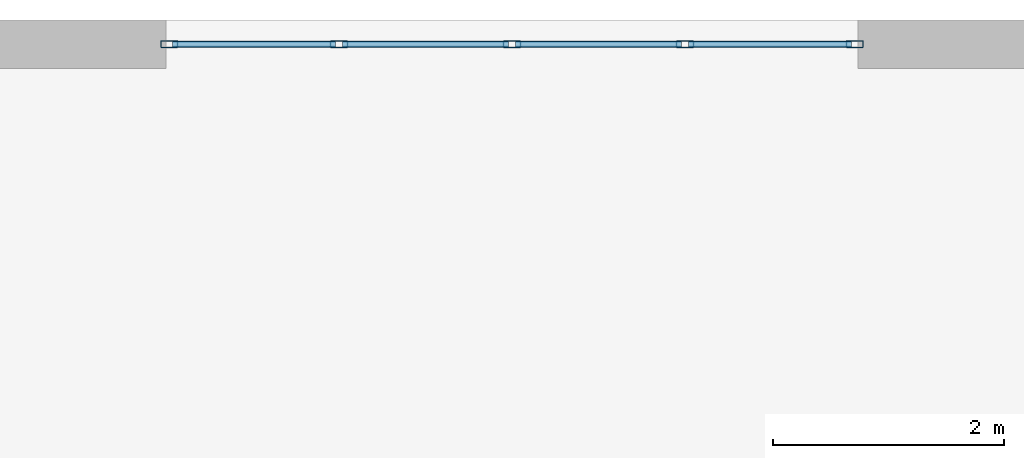
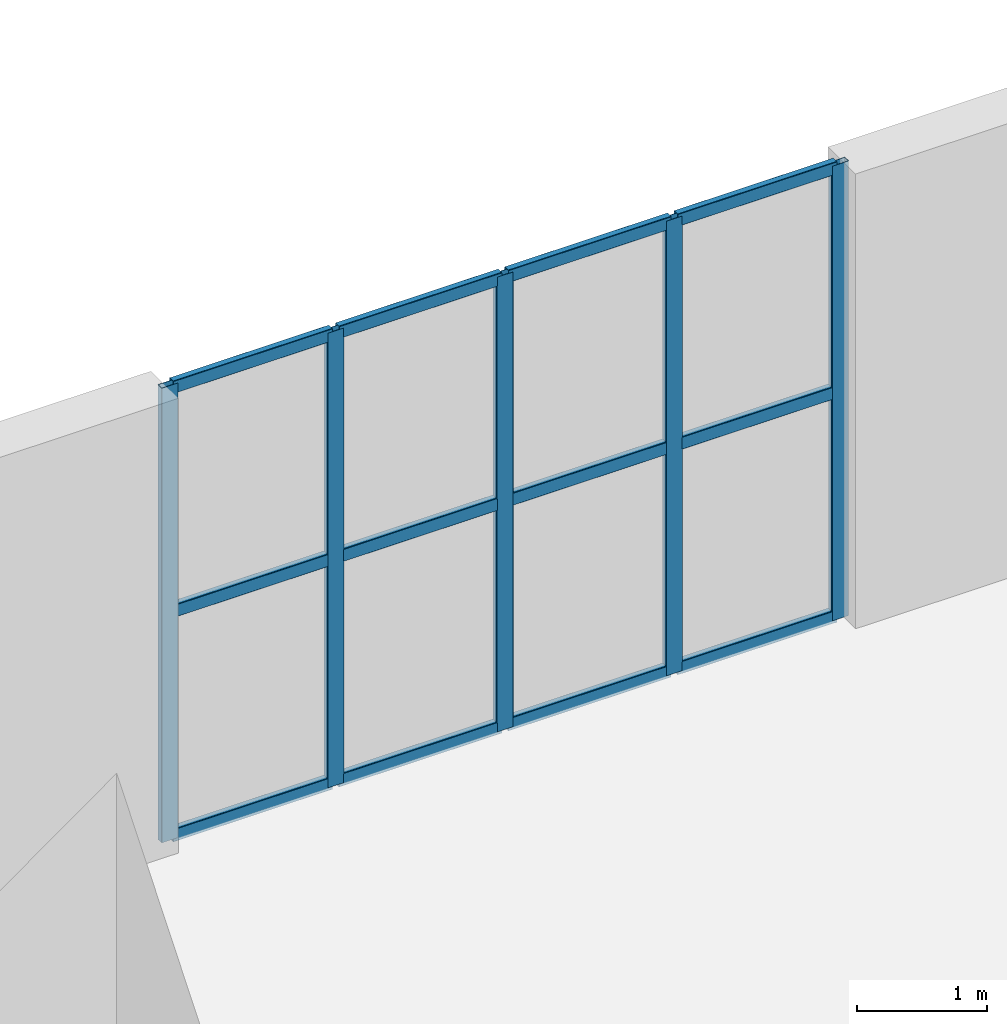
# One storey, part 4 of 15: 17 members, 1 element without a shape of its own.
"""IFC4 building model written with IfcOpenShell, lengths in metres."""

from ifc_helpers import new_model, entity, si_unit, converted_unit, direction, frame, origin_with_axes, origin_2d_with_axis, place, context, subcontext, project, spatial, hollow_rectangle, extrude, material, material_profile, profile_set, type_object, element, aggregate, save


model = new_model("IFC4")

# Units and contexts
model_context = context("Model", 3, precision=1e-05, world=origin_with_axes(), true_north=direction((0.0, 1.0)))
body_context = subcontext(model_context, "Body", "Model", "MODEL_VIEW")
ifc_project = project(units=[si_unit("LENGTHUNIT", "METRE"), si_unit("AREAUNIT", "SQUARE_METRE"), si_unit("VOLUMEUNIT", "CUBIC_METRE"), converted_unit("PLANEANGLEUNIT", "DEGREE", entity("IfcPlaneAngleMeasure", 0.017453292519943295), si_unit("PLANEANGLEUNIT", "RADIAN"), dimensions=[0, 0, 0, 0, 0, 0, 0]), si_unit("MASSUNIT", "GRAM", prefix="KILO"), si_unit("THERMODYNAMICTEMPERATUREUNIT", "KELVIN")], contexts=[model_context])

# Site, building, storey
site_placement = place(None, origin_with_axes())
site = spatial("IfcSite", under=ifc_project, at=site_placement, CompositionType="ELEMENT")
building_placement = place(site_placement, origin_with_axes())
building = spatial("IfcBuilding", under=site, at=building_placement, Name="Varnlund Millrace Tower", CompositionType="ELEMENT")
storey_placement = place(building_placement, frame((0.0, 0.0, 19.8), z_axis=(0.0, 0.0, 1.0), x_axis=(1.0, 0.0, 0.0)))
storey = spatial("IfcBuildingStorey", under=building, at=storey_placement, Name="L04", CompositionType="ELEMENT", Elevation=19.8)

# Curtain wall, members
ifc_material_1 = material(Name="Thermally broken architectural bronze curtain wall", Category="aluminium")
curtain_wall_type = type_object("IfcCurtainWallType", Name="Type-CW-Sys4-SkyLobby1", PredefinedType="NOTDEFINED", material=ifc_material_1)
curtain_wall_placement = place(storey_placement, frame((21.3, 48.39, 0.0), z_axis=(0.0, 0.0, 1.0), x_axis=(1.0, 0.0, 0.0)))
curtain_wall = element("IfcCurtainWall", 1, at=curtain_wall_placement, inside=storey, type_object=curtain_wall_type, Name="Type-CW-Sys4-SkyLobby1", PredefinedType="NOTDEFINED")
ifc_material_2 = material(Name="Architectural bronze aluminium alloy 6063-T6", Category="aluminium")
ifc_material_profile_1 = material_profile(ifc_material_2, hollow_rectangle(XDim=0.06, YDim=0.15, WallThickness=0.004, InnerFilletRadius=0.004, OuterFilletRadius=0.008, at=origin_2d_with_axis()), Name="Architectural bronze aluminium alloy 6063-T6")
ifc_profile_set_1 = profile_set([ifc_material_profile_1], Name="Architectural bronze aluminium alloy 6063-T6")
member_type_1 = type_object("IfcMemberType", Name="Type-CW-Mullion-60X150", PredefinedType="MULLION", material=ifc_profile_set_1)
member_1_placement = place(storey_placement, frame((21.33, 48.39, 0.0), z_axis=(0.0, 0.0, 1.0), x_axis=(0.0, 1.0, 0.0)))
member_1 = element("IfcMember", 2, at=member_1_placement, type_object=member_type_1, Name="CW-04 mullion 1", PredefinedType="MULLION", context=body_context, shape_type="SweptSolid", body=[
    extrude(hollow_rectangle(XDim=0.06, YDim=0.15, WallThickness=0.004, InnerFilletRadius=0.004, OuterFilletRadius=0.008, at=origin_2d_with_axis()), origin_with_axes(), (0.0, 0.0, 1.0), 4.26),
])
member_2_placement = place(storey_placement, frame((22.8, 48.39, 0.0), z_axis=(0.0, 0.0, 1.0), x_axis=(0.0, 1.0, 0.0)))
member_2 = element("IfcMember", 3, at=member_2_placement, type_object=member_type_1, Name="CW-04 mullion 2", PredefinedType="MULLION", context=body_context, shape_type="SweptSolid", body=[
    extrude(hollow_rectangle(XDim=0.06, YDim=0.15, WallThickness=0.004, InnerFilletRadius=0.004, OuterFilletRadius=0.008, at=origin_2d_with_axis()), origin_with_axes(), (0.0, 0.0, 1.0), 4.26),
])
member_3_placement = place(storey_placement, frame((24.3, 48.39, 0.0), z_axis=(0.0, 0.0, 1.0), x_axis=(0.0, 1.0, 0.0)))
member_3 = element("IfcMember", 4, at=member_3_placement, type_object=member_type_1, Name="CW-04 mullion 3", PredefinedType="MULLION", context=body_context, shape_type="SweptSolid", body=[
    extrude(hollow_rectangle(XDim=0.06, YDim=0.15, WallThickness=0.004, InnerFilletRadius=0.004, OuterFilletRadius=0.008, at=origin_2d_with_axis()), origin_with_axes(), (0.0, 0.0, 1.0), 4.26),
])
member_4_placement = place(storey_placement, frame((25.8, 48.39, 0.0), z_axis=(0.0, 0.0, 1.0), x_axis=(0.0, 1.0, 0.0)))
member_4 = element("IfcMember", 5, at=member_4_placement, type_object=member_type_1, Name="CW-04 mullion 4", PredefinedType="MULLION", context=body_context, shape_type="SweptSolid", body=[
    extrude(hollow_rectangle(XDim=0.06, YDim=0.15, WallThickness=0.004, InnerFilletRadius=0.004, OuterFilletRadius=0.008, at=origin_2d_with_axis()), origin_with_axes(), (0.0, 0.0, 1.0), 4.26),
])
member_5_placement = place(storey_placement, frame((27.27, 48.39, 0.0), z_axis=(0.0, 0.0, 1.0), x_axis=(0.0, 1.0, 0.0)))
member_5 = element("IfcMember", 6, at=member_5_placement, type_object=member_type_1, Name="CW-04 mullion 5", PredefinedType="MULLION", context=body_context, shape_type="SweptSolid", body=[
    extrude(hollow_rectangle(XDim=0.06, YDim=0.15, WallThickness=0.004, InnerFilletRadius=0.004, OuterFilletRadius=0.008, at=origin_2d_with_axis()), origin_with_axes(), (0.0, 0.0, 1.0), 4.26),
])
ifc_material_profile_2 = material_profile(ifc_material_2, hollow_rectangle(XDim=0.06, YDim=0.12, WallThickness=0.004, InnerFilletRadius=0.004, OuterFilletRadius=0.008, at=origin_2d_with_axis()), Name="Architectural bronze aluminium alloy 6063-T6")
ifc_profile_set_2 = profile_set([ifc_material_profile_2], Name="Architectural bronze aluminium alloy 6063-T6")
member_type_2 = type_object("IfcMemberType", Name="Type-CW-Transom-60X120", PredefinedType="USERDEFINED", material=ifc_profile_set_2)
member_6_placement = place(storey_placement, frame((21.36, 48.39, 0.03), z_axis=(1.0, 0.0, 0.0), x_axis=(0.0, 1.0, 0.0)))
member_6 = element("IfcMember", 7, at=member_6_placement, type_object=member_type_2, Name="CW-04 transom 1.1", ObjectType="TRANSOM", PredefinedType="USERDEFINED", context=body_context, shape_type="SweptSolid", body=[
    extrude(hollow_rectangle(XDim=0.06, YDim=0.12, WallThickness=0.004, InnerFilletRadius=0.004, OuterFilletRadius=0.008, at=origin_2d_with_axis()), origin_with_axes(), (0.0, 0.0, 1.0), 1.41),
])
member_7_placement = place(storey_placement, frame((21.36, 48.39, 2.13), z_axis=(1.0, 0.0, 0.0), x_axis=(0.0, 1.0, 0.0)))
member_7 = element("IfcMember", 8, at=member_7_placement, type_object=member_type_2, Name="CW-04 transom 1.2", ObjectType="TRANSOM", PredefinedType="USERDEFINED", context=body_context, shape_type="SweptSolid", body=[
    extrude(hollow_rectangle(XDim=0.06, YDim=0.12, WallThickness=0.004, InnerFilletRadius=0.004, OuterFilletRadius=0.008, at=origin_2d_with_axis()), origin_with_axes(), (0.0, 0.0, 1.0), 1.41),
])
member_8_placement = place(storey_placement, frame((21.36, 48.39, 4.23), z_axis=(1.0, 0.0, 0.0), x_axis=(0.0, 1.0, 0.0)))
member_8 = element("IfcMember", 9, at=member_8_placement, type_object=member_type_2, Name="CW-04 transom 1.3", ObjectType="TRANSOM", PredefinedType="USERDEFINED", context=body_context, shape_type="SweptSolid", body=[
    extrude(hollow_rectangle(XDim=0.06, YDim=0.12, WallThickness=0.004, InnerFilletRadius=0.004, OuterFilletRadius=0.008, at=origin_2d_with_axis()), origin_with_axes(), (0.0, 0.0, 1.0), 1.41),
])
member_9_placement = place(storey_placement, frame((22.83, 48.39, 0.03), z_axis=(1.0, 0.0, 0.0), x_axis=(0.0, 1.0, 0.0)))
member_9 = element("IfcMember", 10, at=member_9_placement, type_object=member_type_2, Name="CW-04 transom 2.1", ObjectType="TRANSOM", PredefinedType="USERDEFINED", context=body_context, shape_type="SweptSolid", body=[
    extrude(hollow_rectangle(XDim=0.06, YDim=0.12, WallThickness=0.004, InnerFilletRadius=0.004, OuterFilletRadius=0.008, at=origin_2d_with_axis()), origin_with_axes(), (0.0, 0.0, 1.0), 1.44),
])
member_10_placement = place(storey_placement, frame((22.83, 48.39, 2.13), z_axis=(1.0, 0.0, 0.0), x_axis=(0.0, 1.0, 0.0)))
member_10 = element("IfcMember", 11, at=member_10_placement, type_object=member_type_2, Name="CW-04 transom 2.2", ObjectType="TRANSOM", PredefinedType="USERDEFINED", context=body_context, shape_type="SweptSolid", body=[
    extrude(hollow_rectangle(XDim=0.06, YDim=0.12, WallThickness=0.004, InnerFilletRadius=0.004, OuterFilletRadius=0.008, at=origin_2d_with_axis()), origin_with_axes(), (0.0, 0.0, 1.0), 1.44),
])
member_11_placement = place(storey_placement, frame((22.83, 48.39, 4.23), z_axis=(1.0, 0.0, 0.0), x_axis=(0.0, 1.0, 0.0)))
member_11 = element("IfcMember", 12, at=member_11_placement, type_object=member_type_2, Name="CW-04 transom 2.3", ObjectType="TRANSOM", PredefinedType="USERDEFINED", context=body_context, shape_type="SweptSolid", body=[
    extrude(hollow_rectangle(XDim=0.06, YDim=0.12, WallThickness=0.004, InnerFilletRadius=0.004, OuterFilletRadius=0.008, at=origin_2d_with_axis()), origin_with_axes(), (0.0, 0.0, 1.0), 1.44),
])
member_12_placement = place(storey_placement, frame((24.33, 48.39, 0.03), z_axis=(1.0, 0.0, 0.0), x_axis=(0.0, 1.0, 0.0)))
member_12 = element("IfcMember", 13, at=member_12_placement, type_object=member_type_2, Name="CW-04 transom 3.1", ObjectType="TRANSOM", PredefinedType="USERDEFINED", context=body_context, shape_type="SweptSolid", body=[
    extrude(hollow_rectangle(XDim=0.06, YDim=0.12, WallThickness=0.004, InnerFilletRadius=0.004, OuterFilletRadius=0.008, at=origin_2d_with_axis()), origin_with_axes(), (0.0, 0.0, 1.0), 1.44),
])
member_13_placement = place(storey_placement, frame((24.33, 48.39, 2.13), z_axis=(1.0, 0.0, 0.0), x_axis=(0.0, 1.0, 0.0)))
member_13 = element("IfcMember", 14, at=member_13_placement, type_object=member_type_2, Name="CW-04 transom 3.2", ObjectType="TRANSOM", PredefinedType="USERDEFINED", context=body_context, shape_type="SweptSolid", body=[
    extrude(hollow_rectangle(XDim=0.06, YDim=0.12, WallThickness=0.004, InnerFilletRadius=0.004, OuterFilletRadius=0.008, at=origin_2d_with_axis()), origin_with_axes(), (0.0, 0.0, 1.0), 1.44),
])
member_14_placement = place(storey_placement, frame((24.33, 48.39, 4.23), z_axis=(1.0, 0.0, 0.0), x_axis=(0.0, 1.0, 0.0)))
member_14 = element("IfcMember", 15, at=member_14_placement, type_object=member_type_2, Name="CW-04 transom 3.3", ObjectType="TRANSOM", PredefinedType="USERDEFINED", context=body_context, shape_type="SweptSolid", body=[
    extrude(hollow_rectangle(XDim=0.06, YDim=0.12, WallThickness=0.004, InnerFilletRadius=0.004, OuterFilletRadius=0.008, at=origin_2d_with_axis()), origin_with_axes(), (0.0, 0.0, 1.0), 1.44),
])
member_15_placement = place(storey_placement, frame((25.83, 48.39, 0.03), z_axis=(1.0, 0.0, 0.0), x_axis=(0.0, 1.0, 0.0)))
member_15 = element("IfcMember", 16, at=member_15_placement, type_object=member_type_2, Name="CW-04 transom 4.1", ObjectType="TRANSOM", PredefinedType="USERDEFINED", context=body_context, shape_type="SweptSolid", body=[
    extrude(hollow_rectangle(XDim=0.06, YDim=0.12, WallThickness=0.004, InnerFilletRadius=0.004, OuterFilletRadius=0.008, at=origin_2d_with_axis()), origin_with_axes(), (0.0, 0.0, 1.0), 1.41),
])
member_16_placement = place(storey_placement, frame((25.83, 48.39, 2.13), z_axis=(1.0, 0.0, 0.0), x_axis=(0.0, 1.0, 0.0)))
member_16 = element("IfcMember", 17, at=member_16_placement, type_object=member_type_2, Name="CW-04 transom 4.2", ObjectType="TRANSOM", PredefinedType="USERDEFINED", context=body_context, shape_type="SweptSolid", body=[
    extrude(hollow_rectangle(XDim=0.06, YDim=0.12, WallThickness=0.004, InnerFilletRadius=0.004, OuterFilletRadius=0.008, at=origin_2d_with_axis()), origin_with_axes(), (0.0, 0.0, 1.0), 1.41),
])
member_17_placement = place(storey_placement, frame((25.83, 48.39, 4.23), z_axis=(1.0, 0.0, 0.0), x_axis=(0.0, 1.0, 0.0)))
member_17 = element("IfcMember", 18, at=member_17_placement, type_object=member_type_2, Name="CW-04 transom 4.3", ObjectType="TRANSOM", PredefinedType="USERDEFINED", context=body_context, shape_type="SweptSolid", body=[
    extrude(hollow_rectangle(XDim=0.06, YDim=0.12, WallThickness=0.004, InnerFilletRadius=0.004, OuterFilletRadius=0.008, at=origin_2d_with_axis()), origin_with_axes(), (0.0, 0.0, 1.0), 1.41),
])
aggregate(curtain_wall, [member_1, member_2, member_3, member_4, member_5, member_6, member_7, member_8, member_9, member_10, member_11, member_12, member_13, member_14, member_15, member_16, member_17])

save(model, "model.ifc")
